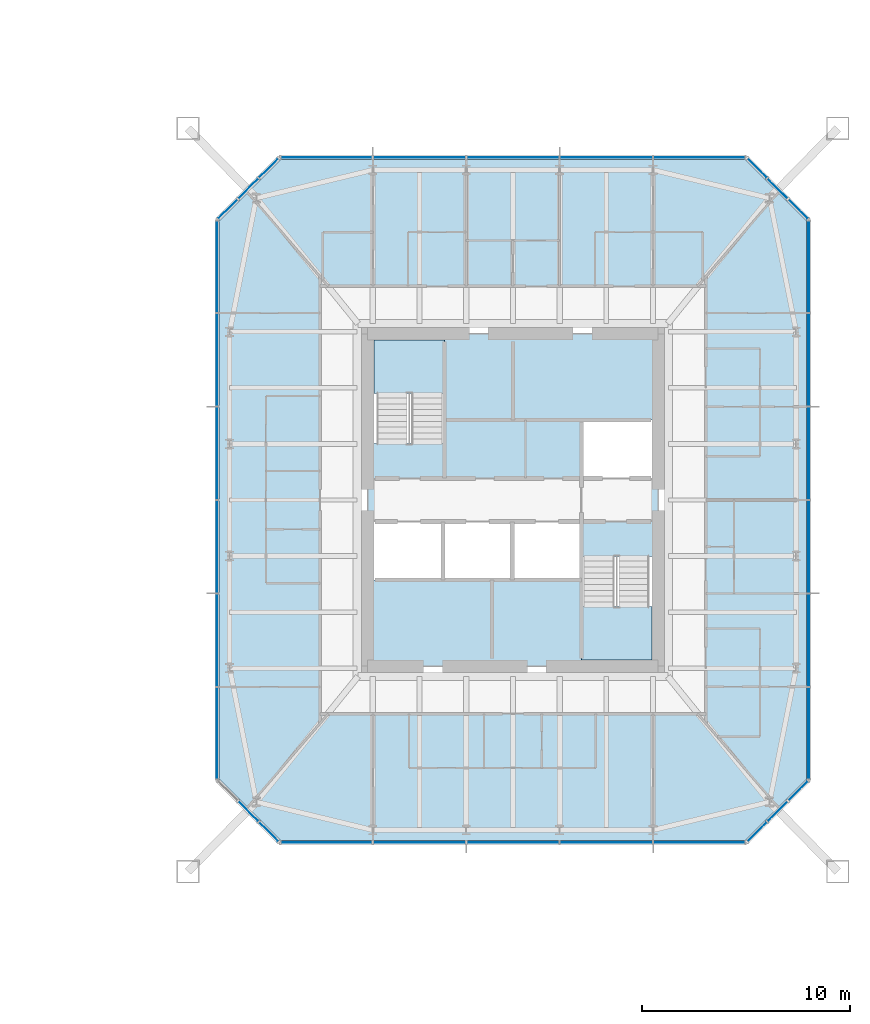
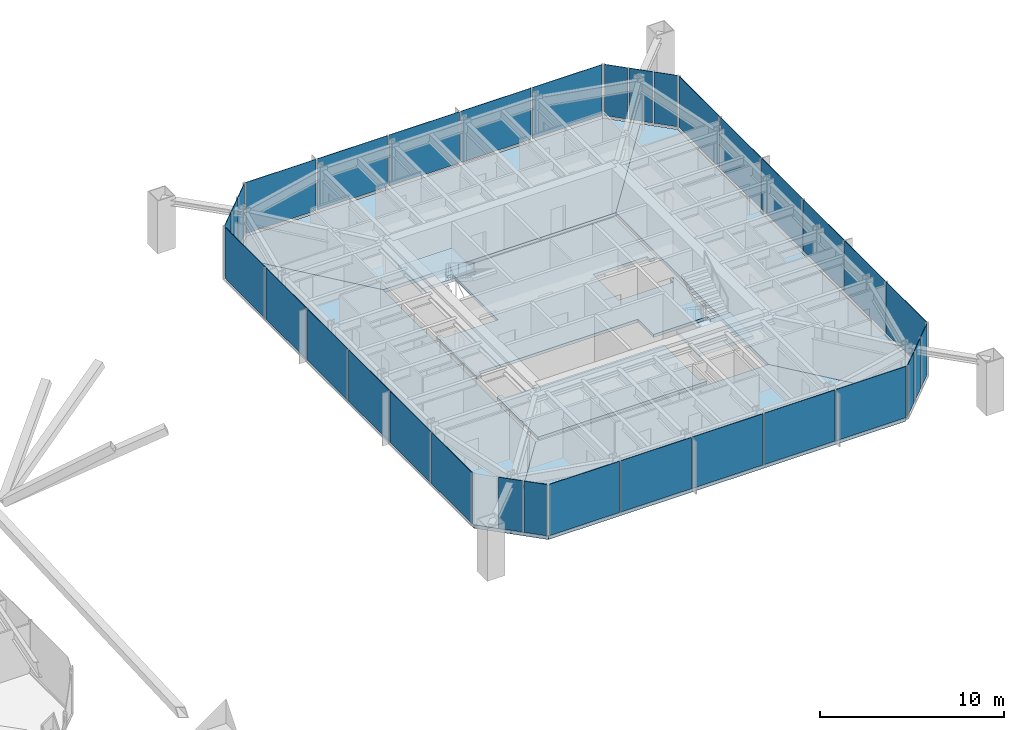
# One storey, part 14 of 27: 33 plates, 8 slabs, 10 elements without a shape of their own.
"""IFC4 building model written with IfcOpenShell, lengths in metres."""

from ifc_helpers import new_model, si_unit, direction, frame, origin, origin_2d, place, context, subcontext, project, spatial, polyline, rectangle, outline, extrude, material, layer, layer_set, constituent, constituent_set, type_object, element, aggregate, save


model = new_model("IFC4")

# Units and contexts
model_context = context("Model", 3, precision=1e-05, world=origin(), true_north=direction((0.0, 1.0)))
body_context = subcontext(model_context, "Body", "Model", "MODEL_VIEW")
ifc_project = project(units=[si_unit("LENGTHUNIT", "METRE"), si_unit("AREAUNIT", "SQUARE_METRE"), si_unit("VOLUMEUNIT", "CUBIC_METRE"), si_unit("PLANEANGLEUNIT", "RADIAN"), si_unit("MASSUNIT", "GRAM", prefix="KILO")], contexts=[model_context])

# Site, building, storey
site_placement = place(None, origin())
site = spatial("IfcSite", under=ifc_project, at=site_placement, CompositionType="ELEMENT")
building_placement = place(site_placement, origin())
building = spatial("IfcBuilding", under=site, at=building_placement, Name="Iwan Alto Co-Living Towers", CompositionType="ELEMENT")
storey_placement = place(building_placement, frame((0.0, 0.0, 91.0)))
storey = spatial("IfcBuildingStorey", under=building, at=storey_placement, Name="L24", CompositionType="ELEMENT", Elevation=91.0)

# Slabs
ifc_material_1 = material(Name="Concrete f'c 30 MPa", Category="concrete")
ifc_layer_1 = layer(ifc_material_1, 0.199951171875)
ifc_layer_set_1 = layer_set([ifc_layer_1], Name="CORE FLOOR SLAB 200")
slab_type_1 = type_object("IfcSlabType", Name="CORE FLOOR SLAB 200", PredefinedType="FLOOR", material=ifc_layer_set_1)
slab_1_placement = place(storey_placement, frame((0.0, 0.0, -0.199951171875)))
element("IfcSlab", 1, at=slab_1_placement, inside=storey, type_object=slab_type_1, Name="T2 core floor L24", PredefinedType="FLOOR", context=body_context, shape_type="SweptSolid", body=[
    extrude(outline(polyline([(70.0, -3.030029296875), (69.699951171875, -3.030029296875), (69.699951171875, -2.719970703125), (66.300048828125, -2.719970703125), (66.300048828125, -1.050048828125), (62.967041015625, -1.050048828125), (59.633056640625, -1.050048828125), (56.300048828125, -1.050048828125), (56.300048828125, -1.360107421875), (56.0, -1.360107421875), (56.0, 3.030029296875), (56.300048828125, 3.030029296875), (56.300048828125, 2.719970703125), (59.699951171875, 2.719970703125), (59.699951171875, 7.699951171875), (59.389892578125, 7.699951171875), (59.389892578125, 8.0), (70.0, 8.0), (70.0, 3.5400390625), (69.699951171875, 3.5400390625), (69.699951171875, 3.85009765625), (66.300048828125, 3.85009765625), (66.300048828125, 1.050048828125), (69.699951171875, 1.050048828125), (69.699951171875, 1.360107421875), (70.0, 1.360107421875), (70.0, -3.030029296875)])), origin(), (0.0, 0.0, 1.0), 0.199951171875),
])
slab_2_placement = place(storey_placement, frame((0.0, 0.0, -0.199951171875)))
element("IfcSlab", 2, at=slab_2_placement, inside=storey, type_object=slab_type_1, Name="T2 core floor L24", PredefinedType="FLOOR", context=body_context, shape_type="SweptSolid", body=[
    extrude(outline(polyline([(62.967041015625, -3.85009765625), (66.300048828125, -3.85009765625), (66.300048828125, -7.699951171875), (66.610107421875, -7.699951171875), (66.610107421875, -8.0), (56.0, -8.0), (56.0, -3.5400390625), (56.300048828125, -3.5400390625), (56.300048828125, -3.85009765625), (59.633056640625, -3.85009765625), (62.967041015625, -3.85009765625)])), origin(), (0.0, 0.0, 1.0), 0.199951171875),
])

# Curtain wall, plates
ifc_material_2 = material(Name="Bronze aluminium unitised frame", Category="aluminium")
curtain_wall_type_1 = type_object("IfcCurtainWallType", Name="CURTAIN WALL CW-C", PredefinedType="NOTDEFINED", material=ifc_material_2)
curtain_wall_1_placement = place(storey_placement, origin())
curtain_wall_1 = element("IfcCurtainWall", 3, at=curtain_wall_1_placement, inside=storey, type_object=curtain_wall_type_1, Name="T2 curtain wall S L24", PredefinedType="NOTDEFINED")
ifc_material_3 = material(Name="Bronze-tinted insulating glass", Category="glass")
ifc_layer_2 = layer(ifc_material_3, 0.031982421875)
ifc_layer_set_2 = layer_set([ifc_layer_2], Name="CW-C PANEL TINTED IGU 32")
plate_type_1 = type_object("IfcPlateType", Name="CW-C PANEL TINTED IGU 32", PredefinedType="CURTAIN_PANEL", material=ifc_layer_set_2)
plate_1_placement = place(storey_placement, frame((54.02001953125, -16.5, 0.10009765625), z_axis=(0.0, 0.0, 1.0), x_axis=(1.0, 0.0, 0.0)))
plate_1 = element("IfcPlate", 4, at=plate_1_placement, type_object=plate_type_1, Name="CW-C panel 1.1", PredefinedType="CURTAIN_PANEL", context=body_context, shape_type="SweptSolid", body=[
    extrude(rectangle(XDim=4.3798828125, YDim=0.031982421875, at=origin_2d()), origin(), (0.0, 0.0, 1.0), 3.39990234375),
])
plate_2_placement = place(storey_placement, frame((58.5, -16.5, 0.10009765625), z_axis=(0.0, 0.0, 1.0), x_axis=(1.0, 0.0, 0.0)))
plate_2 = element("IfcPlate", 5, at=plate_2_placement, type_object=plate_type_1, Name="CW-C panel 2.1", PredefinedType="CURTAIN_PANEL", context=body_context, shape_type="SweptSolid", body=[
    extrude(rectangle(XDim=4.419921875, YDim=0.031982421875, at=origin_2d()), origin(), (0.0, 0.0, 1.0), 3.39990234375),
])
plate_3_placement = place(storey_placement, frame((63.0, -16.5, 0.10009765625), z_axis=(0.0, 0.0, 1.0), x_axis=(1.0, 0.0, 0.0)))
plate_3 = element("IfcPlate", 6, at=plate_3_placement, type_object=plate_type_1, Name="CW-C panel 3.1", PredefinedType="CURTAIN_PANEL", context=body_context, shape_type="SweptSolid", body=[
    extrude(rectangle(XDim=4.419921875, YDim=0.031982421875, at=origin_2d()), origin(), (0.0, 0.0, 1.0), 3.39990234375),
])
plate_4_placement = place(storey_placement, frame((67.5, -16.5, 0.10009765625), z_axis=(0.0, 0.0, 1.0), x_axis=(1.0, 0.0, 0.0)))
plate_4 = element("IfcPlate", 7, at=plate_4_placement, type_object=plate_type_1, Name="CW-C panel 4.1", PredefinedType="CURTAIN_PANEL", context=body_context, shape_type="SweptSolid", body=[
    extrude(rectangle(XDim=4.419921875, YDim=0.031982421875, at=origin_2d()), origin(), (0.0, 0.0, 1.0), 3.39990234375),
])
plate_5_placement = place(storey_placement, frame((71.97998046875, -16.5, 0.10009765625), z_axis=(0.0, 0.0, 1.0), x_axis=(1.0, 0.0, 0.0)))
plate_5 = element("IfcPlate", 8, at=plate_5_placement, type_object=plate_type_1, Name="CW-C panel 5.1", PredefinedType="CURTAIN_PANEL", context=body_context, shape_type="SweptSolid", body=[
    extrude(rectangle(XDim=4.3798828125, YDim=0.031982421875, at=origin_2d()), origin(), (0.0, 0.0, 1.0), 3.39990234375),
])
aggregate(curtain_wall_1, [plate_1, plate_2, plate_3, plate_4, plate_5])

curtain_wall_2_placement = place(storey_placement, origin())
curtain_wall_2 = element("IfcCurtainWall", 9, at=curtain_wall_2_placement, inside=storey, type_object=curtain_wall_type_1, Name="T2 curtain wall E L24", PredefinedType="NOTDEFINED")
plate_6_placement = place(storey_placement, frame((77.25, -11.22998046875, 0.10009765625), z_axis=(0.0, 0.0, 1.0), x_axis=(0.0, 1.0, 0.0)))
plate_6 = element("IfcPlate", 10, at=plate_6_placement, type_object=plate_type_1, Name="CW-C panel 1.1", PredefinedType="CURTAIN_PANEL", context=body_context, shape_type="SweptSolid", body=[
    extrude(rectangle(XDim=4.3798828125, YDim=0.031982421875, at=origin_2d()), origin(), (0.0, 0.0, 1.0), 3.39990234375),
])
plate_7_placement = place(storey_placement, frame((77.25, -6.75, 0.10009765625), z_axis=(0.0, 0.0, 1.0), x_axis=(0.0, 1.0, 0.0)))
plate_7 = element("IfcPlate", 11, at=plate_7_placement, type_object=plate_type_1, Name="CW-C panel 2.1", PredefinedType="CURTAIN_PANEL", context=body_context, shape_type="SweptSolid", body=[
    extrude(rectangle(XDim=4.419921875, YDim=0.031982421875, at=origin_2d()), origin(), (0.0, 0.0, 1.0), 3.39990234375),
])
plate_8_placement = place(storey_placement, frame((77.25, -2.25, 0.10009765625), z_axis=(0.0, 0.0, 1.0), x_axis=(0.0, 1.0, 0.0)))
plate_8 = element("IfcPlate", 12, at=plate_8_placement, type_object=plate_type_1, Name="CW-C panel 3.1", PredefinedType="CURTAIN_PANEL", context=body_context, shape_type="SweptSolid", body=[
    extrude(rectangle(XDim=4.419921875, YDim=0.031982421875, at=origin_2d()), origin(), (0.0, 0.0, 1.0), 3.39990234375),
])
plate_9_placement = place(storey_placement, frame((77.25, 2.25, 0.10009765625), z_axis=(0.0, 0.0, 1.0), x_axis=(0.0, 1.0, 0.0)))
plate_9 = element("IfcPlate", 13, at=plate_9_placement, type_object=plate_type_1, Name="CW-C panel 4.1", PredefinedType="CURTAIN_PANEL", context=body_context, shape_type="SweptSolid", body=[
    extrude(rectangle(XDim=4.419921875, YDim=0.031982421875, at=origin_2d()), origin(), (0.0, 0.0, 1.0), 3.39990234375),
])
plate_10_placement = place(storey_placement, frame((77.25, 6.75, 0.10009765625), z_axis=(0.0, 0.0, 1.0), x_axis=(0.0, 1.0, 0.0)))
plate_10 = element("IfcPlate", 14, at=plate_10_placement, type_object=plate_type_1, Name="CW-C panel 5.1", PredefinedType="CURTAIN_PANEL", context=body_context, shape_type="SweptSolid", body=[
    extrude(rectangle(XDim=4.419921875, YDim=0.031982421875, at=origin_2d()), origin(), (0.0, 0.0, 1.0), 3.39990234375),
])
plate_11_placement = place(storey_placement, frame((77.25, 11.22998046875, 0.10009765625), z_axis=(0.0, 0.0, 1.0), x_axis=(0.0, 1.0, 0.0)))
plate_11 = element("IfcPlate", 15, at=plate_11_placement, type_object=plate_type_1, Name="CW-C panel 6.1", PredefinedType="CURTAIN_PANEL", context=body_context, shape_type="SweptSolid", body=[
    extrude(rectangle(XDim=4.3798828125, YDim=0.031982421875, at=origin_2d()), origin(), (0.0, 0.0, 1.0), 3.39990234375),
])
aggregate(curtain_wall_2, [plate_6, plate_7, plate_8, plate_9, plate_10, plate_11])

curtain_wall_3_placement = place(storey_placement, origin())
curtain_wall_3 = element("IfcCurtainWall", 16, at=curtain_wall_3_placement, inside=storey, type_object=curtain_wall_type_1, Name="T2 curtain wall N L24", PredefinedType="NOTDEFINED")
plate_12_placement = place(storey_placement, frame((71.97998046875, 16.5, 0.10009765625), z_axis=(0.0, 0.0, 1.0), x_axis=(-1.0, 0.0, 0.0)))
plate_12 = element("IfcPlate", 17, at=plate_12_placement, type_object=plate_type_1, Name="CW-C panel 1.1", PredefinedType="CURTAIN_PANEL", context=body_context, shape_type="SweptSolid", body=[
    extrude(rectangle(XDim=4.3798828125, YDim=0.031982421875, at=origin_2d()), origin(), (0.0, 0.0, 1.0), 3.39990234375),
])
plate_13_placement = place(storey_placement, frame((67.5, 16.5, 0.10009765625), z_axis=(0.0, 0.0, 1.0), x_axis=(-1.0, 0.0, 0.0)))
plate_13 = element("IfcPlate", 18, at=plate_13_placement, type_object=plate_type_1, Name="CW-C panel 2.1", PredefinedType="CURTAIN_PANEL", context=body_context, shape_type="SweptSolid", body=[
    extrude(rectangle(XDim=4.419921875, YDim=0.031982421875, at=origin_2d()), origin(), (0.0, 0.0, 1.0), 3.39990234375),
])
plate_14_placement = place(storey_placement, frame((63.0, 16.5, 0.10009765625), z_axis=(0.0, 0.0, 1.0), x_axis=(-1.0, 0.0, 0.0)))
plate_14 = element("IfcPlate", 19, at=plate_14_placement, type_object=plate_type_1, Name="CW-C panel 3.1", PredefinedType="CURTAIN_PANEL", context=body_context, shape_type="SweptSolid", body=[
    extrude(rectangle(XDim=4.419921875, YDim=0.031982421875, at=origin_2d()), origin(), (0.0, 0.0, 1.0), 3.39990234375),
])
plate_15_placement = place(storey_placement, frame((58.5, 16.5, 0.10009765625), z_axis=(0.0, 0.0, 1.0), x_axis=(-1.0, 0.0, 0.0)))
plate_15 = element("IfcPlate", 20, at=plate_15_placement, type_object=plate_type_1, Name="CW-C panel 4.1", PredefinedType="CURTAIN_PANEL", context=body_context, shape_type="SweptSolid", body=[
    extrude(rectangle(XDim=4.419921875, YDim=0.031982421875, at=origin_2d()), origin(), (0.0, 0.0, 1.0), 3.39990234375),
])
plate_16_placement = place(storey_placement, frame((54.02001953125, 16.5, 0.10009765625), z_axis=(0.0, 0.0, 1.0), x_axis=(-1.0, 0.0, 0.0)))
plate_16 = element("IfcPlate", 21, at=plate_16_placement, type_object=plate_type_1, Name="CW-C panel 5.1", PredefinedType="CURTAIN_PANEL", context=body_context, shape_type="SweptSolid", body=[
    extrude(rectangle(XDim=4.3798828125, YDim=0.031982421875, at=origin_2d()), origin(), (0.0, 0.0, 1.0), 3.39990234375),
])
aggregate(curtain_wall_3, [plate_12, plate_13, plate_14, plate_15, plate_16])

curtain_wall_4_placement = place(storey_placement, origin())
curtain_wall_4 = element("IfcCurtainWall", 22, at=curtain_wall_4_placement, inside=storey, type_object=curtain_wall_type_1, Name="T2 curtain wall W L24", PredefinedType="NOTDEFINED")
plate_17_placement = place(storey_placement, frame((48.75, 11.22998046875, 0.10009765625), z_axis=(0.0, 0.0, 1.0), x_axis=(0.0, -1.0, 0.0)))
plate_17 = element("IfcPlate", 23, at=plate_17_placement, type_object=plate_type_1, Name="CW-C panel 1.1", PredefinedType="CURTAIN_PANEL", context=body_context, shape_type="SweptSolid", body=[
    extrude(rectangle(XDim=4.3798828125, YDim=0.031982421875, at=origin_2d()), origin(), (0.0, 0.0, 1.0), 3.39990234375),
])
plate_18_placement = place(storey_placement, frame((48.75, 6.75, 0.10009765625), z_axis=(0.0, 0.0, 1.0), x_axis=(0.0, -1.0, 0.0)))
plate_18 = element("IfcPlate", 24, at=plate_18_placement, type_object=plate_type_1, Name="CW-C panel 2.1", PredefinedType="CURTAIN_PANEL", context=body_context, shape_type="SweptSolid", body=[
    extrude(rectangle(XDim=4.419921875, YDim=0.031982421875, at=origin_2d()), origin(), (0.0, 0.0, 1.0), 3.39990234375),
])
plate_19_placement = place(storey_placement, frame((48.75, 2.25, 0.10009765625), z_axis=(0.0, 0.0, 1.0), x_axis=(0.0, -1.0, 0.0)))
plate_19 = element("IfcPlate", 25, at=plate_19_placement, type_object=plate_type_1, Name="CW-C panel 3.1", PredefinedType="CURTAIN_PANEL", context=body_context, shape_type="SweptSolid", body=[
    extrude(rectangle(XDim=4.419921875, YDim=0.031982421875, at=origin_2d()), origin(), (0.0, 0.0, 1.0), 3.39990234375),
])
plate_20_placement = place(storey_placement, frame((48.75, -2.25, 0.10009765625), z_axis=(0.0, 0.0, 1.0), x_axis=(0.0, -1.0, 0.0)))
plate_20 = element("IfcPlate", 26, at=plate_20_placement, type_object=plate_type_1, Name="CW-C panel 4.1", PredefinedType="CURTAIN_PANEL", context=body_context, shape_type="SweptSolid", body=[
    extrude(rectangle(XDim=4.419921875, YDim=0.031982421875, at=origin_2d()), origin(), (0.0, 0.0, 1.0), 3.39990234375),
])
plate_21_placement = place(storey_placement, frame((48.75, -6.75, 0.10009765625), z_axis=(0.0, 0.0, 1.0), x_axis=(0.0, -1.0, 0.0)))
plate_21 = element("IfcPlate", 27, at=plate_21_placement, type_object=plate_type_1, Name="CW-C panel 5.1", PredefinedType="CURTAIN_PANEL", context=body_context, shape_type="SweptSolid", body=[
    extrude(rectangle(XDim=4.419921875, YDim=0.031982421875, at=origin_2d()), origin(), (0.0, 0.0, 1.0), 3.39990234375),
])
plate_22_placement = place(storey_placement, frame((48.75, -11.22998046875, 0.10009765625), z_axis=(0.0, 0.0, 1.0), x_axis=(0.0, -1.0, 0.0)))
plate_22 = element("IfcPlate", 28, at=plate_22_placement, type_object=plate_type_1, Name="CW-C panel 6.1", PredefinedType="CURTAIN_PANEL", context=body_context, shape_type="SweptSolid", body=[
    extrude(rectangle(XDim=4.3798828125, YDim=0.031982421875, at=origin_2d()), origin(), (0.0, 0.0, 1.0), 3.39990234375),
])
aggregate(curtain_wall_4, [plate_17, plate_18, plate_19, plate_20, plate_21, plate_22])

ifc_material_4 = material(Name="Bronze aluminium unitised frame", Category="aluminium")
curtain_wall_type_2 = type_object("IfcCurtainWallType", Name="CURTAIN WALL CW-D", PredefinedType="NOTDEFINED", material=ifc_material_4)
curtain_wall_5_placement = place(storey_placement, origin())
curtain_wall_5 = element("IfcCurtainWall", 29, at=curtain_wall_5_placement, inside=storey, type_object=curtain_wall_type_2, Name="T2 chamfer curtain wall SE L24", PredefinedType="NOTDEFINED")
ifc_material_5 = material(Name="Bronze-tinted insulating glass", Category="glass")
ifc_layer_3 = layer(ifc_material_5, 0.031982421875)
ifc_layer_set_3 = layer_set([ifc_layer_3], Name="CW-D PANEL TINTED IGU 32")
plate_type_2 = type_object("IfcPlateType", Name="CW-D PANEL TINTED IGU 32", PredefinedType="CURTAIN_PANEL", material=ifc_layer_set_3)
plate_23_placement = place(storey_placement, frame((74.76416015625, -15.98583984375, 0.10009765625), z_axis=(0.0, 0.0, 1.0), x_axis=(0.707106781187, 0.707106781187, 0.0)))
plate_23 = element("IfcPlate", 30, at=plate_23_placement, type_object=plate_type_2, Name="CW-D panel 1.1", PredefinedType="CURTAIN_PANEL", context=body_context, shape_type="SweptSolid", body=[
    extrude(rectangle(XDim=1.294189453125, YDim=0.031982421875, at=origin_2d()), origin(), (0.0, 0.0, 1.0), 3.39990234375),
])
plate_24_placement = place(storey_placement, frame((75.75, -15.0, 0.10009765625), z_axis=(0.0, 0.0, 1.0), x_axis=(0.707106781187, 0.707106781187, 0.0)))
plate_24 = element("IfcPlate", 31, at=plate_24_placement, type_object=plate_type_2, Name="CW-D panel 2.1", PredefinedType="CURTAIN_PANEL", context=body_context, shape_type="SweptSolid", body=[
    extrude(rectangle(XDim=1.334228515625, YDim=0.031982421875, at=origin_2d()), origin(), (0.0, 0.0, 1.0), 3.39990234375),
])
plate_25_placement = place(storey_placement, frame((76.73583984375, -14.01416015625, 0.10009765625), z_axis=(0.0, 0.0, 1.0), x_axis=(0.707106781187, 0.707106781187, 0.0)))
plate_25 = element("IfcPlate", 32, at=plate_25_placement, type_object=plate_type_2, Name="CW-D panel 3.1", PredefinedType="CURTAIN_PANEL", context=body_context, shape_type="SweptSolid", body=[
    extrude(rectangle(XDim=1.294189453125, YDim=0.031982421875, at=origin_2d()), origin(), (0.0, 0.0, 1.0), 3.39990234375),
])
aggregate(curtain_wall_5, [plate_23, plate_24, plate_25])

curtain_wall_6_placement = place(storey_placement, origin())
curtain_wall_6 = element("IfcCurtainWall", 33, at=curtain_wall_6_placement, inside=storey, type_object=curtain_wall_type_2, Name="T2 chamfer curtain wall NE L24", PredefinedType="NOTDEFINED")
plate_26_placement = place(storey_placement, frame((76.73583984375, 14.01416015625, 0.10009765625), z_axis=(0.0, 0.0, 1.0), x_axis=(-0.707106781187, 0.707106781187, 0.0)))
plate_26 = element("IfcPlate", 34, at=plate_26_placement, type_object=plate_type_2, Name="CW-D panel 1.1", PredefinedType="CURTAIN_PANEL", context=body_context, shape_type="SweptSolid", body=[
    extrude(rectangle(XDim=1.294189453125, YDim=0.031982421875, at=origin_2d()), origin(), (0.0, 0.0, 1.0), 3.39990234375),
])
plate_27_placement = place(storey_placement, frame((75.75, 15.0, 0.10009765625), z_axis=(0.0, 0.0, 1.0), x_axis=(-0.707106781187, 0.707106781187, 0.0)))
plate_27 = element("IfcPlate", 35, at=plate_27_placement, type_object=plate_type_2, Name="CW-D panel 2.1", PredefinedType="CURTAIN_PANEL", context=body_context, shape_type="SweptSolid", body=[
    extrude(rectangle(XDim=1.334228515625, YDim=0.031982421875, at=origin_2d()), origin(), (0.0, 0.0, 1.0), 3.39990234375),
])
plate_28_placement = place(storey_placement, frame((74.76416015625, 15.98583984375, 0.10009765625), z_axis=(0.0, 0.0, 1.0), x_axis=(-0.707106781187, 0.707106781187, 0.0)))
plate_28 = element("IfcPlate", 36, at=plate_28_placement, type_object=plate_type_2, Name="CW-D panel 3.1", PredefinedType="CURTAIN_PANEL", context=body_context, shape_type="SweptSolid", body=[
    extrude(rectangle(XDim=1.294189453125, YDim=0.031982421875, at=origin_2d()), origin(), (0.0, 0.0, 1.0), 3.39990234375),
])
aggregate(curtain_wall_6, [plate_26, plate_27, plate_28])

curtain_wall_7_placement = place(storey_placement, origin())
curtain_wall_7 = element("IfcCurtainWall", 37, at=curtain_wall_7_placement, inside=storey, type_object=curtain_wall_type_2, Name="T2 chamfer curtain wall NW L24", PredefinedType="NOTDEFINED")
plate_29_placement = place(storey_placement, frame((51.23583984375, 15.98583984375, 0.10009765625), z_axis=(0.0, 0.0, 1.0), x_axis=(-0.707106781187, -0.707106781187, 0.0)))
plate_29 = element("IfcPlate", 38, at=plate_29_placement, type_object=plate_type_2, Name="CW-D panel 1.1", PredefinedType="CURTAIN_PANEL", context=body_context, shape_type="SweptSolid", body=[
    extrude(rectangle(XDim=1.294189453125, YDim=0.031982421875, at=origin_2d()), origin(), (0.0, 0.0, 1.0), 3.39990234375),
])
plate_30_placement = place(storey_placement, frame((50.25, 15.0, 0.10009765625), z_axis=(0.0, 0.0, 1.0), x_axis=(-0.707106781187, -0.707106781187, 0.0)))
plate_30 = element("IfcPlate", 39, at=plate_30_placement, type_object=plate_type_2, Name="CW-D panel 2.1", PredefinedType="CURTAIN_PANEL", context=body_context, shape_type="SweptSolid", body=[
    extrude(rectangle(XDim=1.334228515625, YDim=0.031982421875, at=origin_2d()), origin(), (0.0, 0.0, 1.0), 3.39990234375),
])
plate_31_placement = place(storey_placement, frame((49.26416015625, 14.01416015625, 0.10009765625), z_axis=(0.0, 0.0, 1.0), x_axis=(-0.707106781187, -0.707106781187, 0.0)))
plate_31 = element("IfcPlate", 40, at=plate_31_placement, type_object=plate_type_2, Name="CW-D panel 3.1", PredefinedType="CURTAIN_PANEL", context=body_context, shape_type="SweptSolid", body=[
    extrude(rectangle(XDim=1.294189453125, YDim=0.031982421875, at=origin_2d()), origin(), (0.0, 0.0, 1.0), 3.39990234375),
])
aggregate(curtain_wall_7, [plate_29, plate_30, plate_31])

curtain_wall_8_placement = place(storey_placement, origin())
curtain_wall_8 = element("IfcCurtainWall", 41, at=curtain_wall_8_placement, inside=storey, type_object=curtain_wall_type_2, Name="T2 chamfer curtain wall SW L24", PredefinedType="NOTDEFINED")
plate_32_placement = place(storey_placement, frame((50.25, -15.0, 0.10009765625), z_axis=(0.0, 0.0, 1.0), x_axis=(0.707106781187, -0.707106781187, 0.0)))
plate_32 = element("IfcPlate", 42, at=plate_32_placement, type_object=plate_type_2, Name="CW-D panel 2.1", PredefinedType="CURTAIN_PANEL", context=body_context, shape_type="SweptSolid", body=[
    extrude(rectangle(XDim=1.334228515625, YDim=0.031982421875, at=origin_2d()), origin(), (0.0, 0.0, 1.0), 3.39990234375),
])
plate_33_placement = place(storey_placement, frame((51.23583984375, -15.98583984375, 0.10009765625), z_axis=(0.0, 0.0, 1.0), x_axis=(0.707106781187, -0.707106781187, 0.0)))
plate_33 = element("IfcPlate", 43, at=plate_33_placement, type_object=plate_type_2, Name="CW-D panel 3.1", PredefinedType="CURTAIN_PANEL", context=body_context, shape_type="SweptSolid", body=[
    extrude(rectangle(XDim=1.294189453125, YDim=0.031982421875, at=origin_2d()), origin(), (0.0, 0.0, 1.0), 3.39990234375),
])
aggregate(curtain_wall_8, [plate_32, plate_33])

# Stair, slab
ifc_material_6 = material(Name="Steel ASTM A36", Category="steel")
ifc_constituent_1 = constituent(ifc_material_6, Name="Stringers", Category="LoadBearing")
ifc_material_7 = material(Name="Concrete f'c 30 MPa", Category="concrete")
ifc_constituent_2 = constituent(ifc_material_7, Name="Tread fill", Category="Finish")
ifc_constituent_set = constituent_set(constituents=[ifc_constituent_1, ifc_constituent_2], Name="STAIR 3500 TWO-FLIGHT T2 CORE")
stair_type = type_object("IfcStairType", Name="STAIR 3500 TWO-FLIGHT T2 CORE", PredefinedType="HALF_TURN_STAIR", material=ifc_constituent_set)
stair_1_placement = place(storey_placement, origin())
stair_1 = element("IfcStair", 44, at=stair_1_placement, inside=storey, type_object=stair_type, Name="Stair T2-S1 L24 to L25", PredefinedType="HALF_TURN_STAIR")
ifc_material_8 = material(Name="Concrete f'c 30 MPa", Category="concrete")
ifc_layer_4 = layer(ifc_material_8, 0.199951171875)
ifc_layer_set_4 = layer_set([ifc_layer_4], Name="STAIR LANDING 200")
slab_type_2 = type_object("IfcSlabType", Name="STAIR LANDING 200", PredefinedType="LANDING", material=ifc_layer_set_4)
slab_3_placement = place(storey_placement, frame((0.0, 0.0, 1.550048828125)))
slab_3 = element("IfcSlab", 45, at=slab_3_placement, type_object=slab_type_2, Name="T2-S1 landing 1", PredefinedType="LANDING", context=body_context, shape_type="SweptSolid", body=[
    extrude(outline(polyline([(56.300048828125, 5.139892578125), (56.300048828125, 7.699951171875), (59.699951171875, 7.699951171875), (59.699951171875, 5.139892578125), (56.300048828125, 5.139892578125)])), origin(), (0.0, 0.0, 1.0), 0.199951171875),
])
aggregate(stair_1, [slab_3])

stair_2_placement = place(storey_placement, origin())
stair_2 = element("IfcStair", 46, at=stair_2_placement, inside=storey, type_object=stair_type, Name="Stair T2-S2 L24 to L25", PredefinedType="HALF_TURN_STAIR")
slab_4_placement = place(storey_placement, frame((0.0, 0.0, 1.550048828125)))
slab_4 = element("IfcSlab", 47, at=slab_4_placement, type_object=slab_type_2, Name="T2-S2 landing 1", PredefinedType="LANDING", context=body_context, shape_type="SweptSolid", body=[
    extrude(outline(polyline([(66.300048828125, -5.139892578125), (66.300048828125, -7.699951171875), (69.699951171875, -7.699951171875), (69.699951171875, -5.139892578125), (66.300048828125, -5.139892578125)])), origin(), (0.0, 0.0, 1.0), 0.199951171875),
])
aggregate(stair_2, [slab_4])

# Slabs
ifc_material_9 = material(Name="Concrete f'c 30 MPa", Category="concrete")
ifc_layer_5 = layer(ifc_material_9, 0.22998046875)
ifc_layer_set_5 = layer_set([ifc_layer_5], Name="T2 FLOOR SLAB 230")
slab_type_3 = type_object("IfcSlabType", Name="T2 FLOOR SLAB 230", PredefinedType="FLOOR", material=ifc_layer_set_5)
slab_5_placement = place(storey_placement, frame((0.0, 0.0, -0.22998046875)))
element("IfcSlab", 48, at=slab_5_placement, inside=storey, type_object=slab_type_3, Name="T2 floor slab L24 S pour", PredefinedType="FLOOR", context=body_context, shape_type="SweptSolid", body=[
    extrude(outline(polyline([(74.19140625, -16.39990234375), (51.80859375, -16.39990234375), (50.330810546875, -14.92236328125), (55.699951171875, -8.300048828125), (70.300048828125, -8.300048828125), (75.669189453125, -14.92236328125), (74.19140625, -16.39990234375)])), origin(), (0.0, 0.0, 1.0), 0.22998046875),
])
slab_6_placement = place(storey_placement, frame((0.0, 0.0, -0.22998046875)))
element("IfcSlab", 49, at=slab_6_placement, inside=storey, type_object=slab_type_3, Name="T2 floor slab L24 E pour", PredefinedType="FLOOR", context=body_context, shape_type="SweptSolid", body=[
    extrude(outline(polyline([(77.14990234375, 13.44140625), (77.14990234375, -13.44140625), (75.669189453125, -14.92236328125), (70.300048828125, -8.300048828125), (70.300048828125, 8.300048828125), (75.669189453125, 14.92236328125), (77.14990234375, 13.44140625)])), origin(), (0.0, 0.0, 1.0), 0.22998046875),
])
slab_7_placement = place(storey_placement, frame((0.0, 0.0, -0.22998046875)))
element("IfcSlab", 50, at=slab_7_placement, inside=storey, type_object=slab_type_3, Name="T2 floor slab L24 N pour", PredefinedType="FLOOR", context=body_context, shape_type="SweptSolid", body=[
    extrude(outline(polyline([(51.80859375, 16.39990234375), (74.19140625, 16.39990234375), (75.669189453125, 14.92236328125), (70.300048828125, 8.300048828125), (55.699951171875, 8.300048828125), (50.330810546875, 14.92236328125), (51.80859375, 16.39990234375)])), origin(), (0.0, 0.0, 1.0), 0.22998046875),
])
slab_8_placement = place(storey_placement, frame((0.0, 0.0, -0.22998046875)))
element("IfcSlab", 51, at=slab_8_placement, inside=storey, type_object=slab_type_3, Name="T2 floor slab L24 W pour", PredefinedType="FLOOR", context=body_context, shape_type="SweptSolid", body=[
    extrude(outline(polyline([(48.85009765625, 13.44140625), (50.330810546875, 14.92236328125), (55.699951171875, 8.300048828125), (55.699951171875, -8.300048828125), (50.330810546875, -14.92236328125), (48.85009765625, -13.44140625), (48.85009765625, 13.44140625)])), origin(), (0.0, 0.0, 1.0), 0.22998046875),
])

save(model, "model.ifc")
